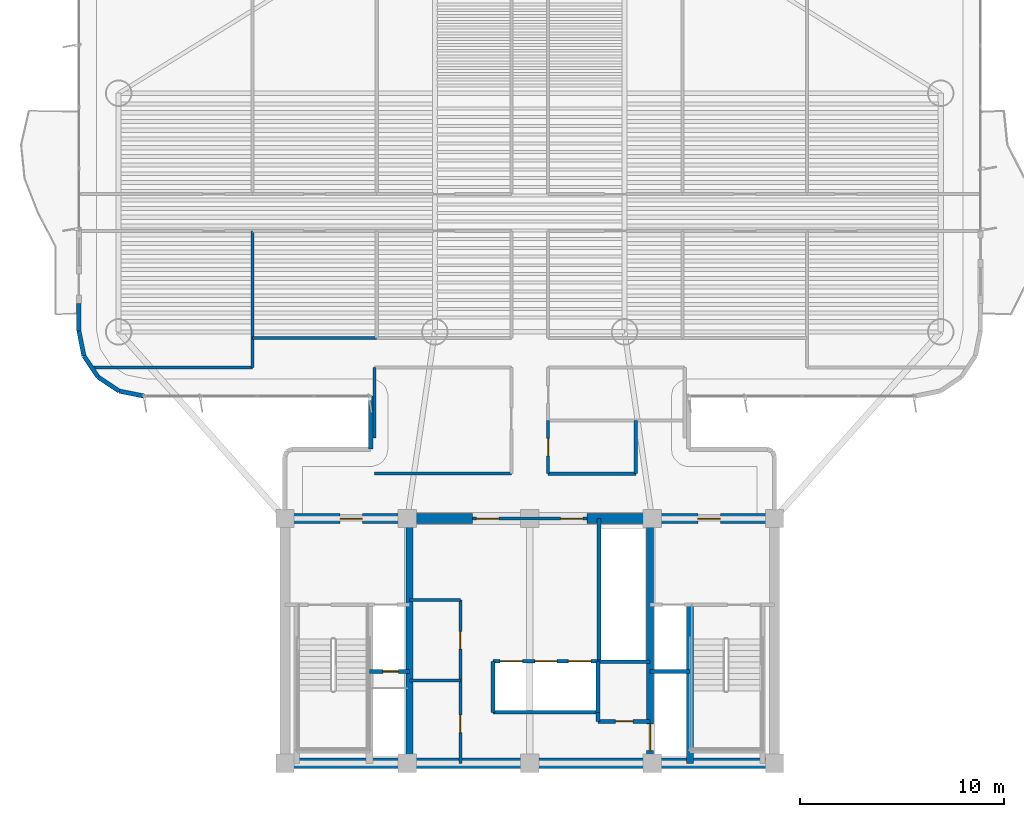
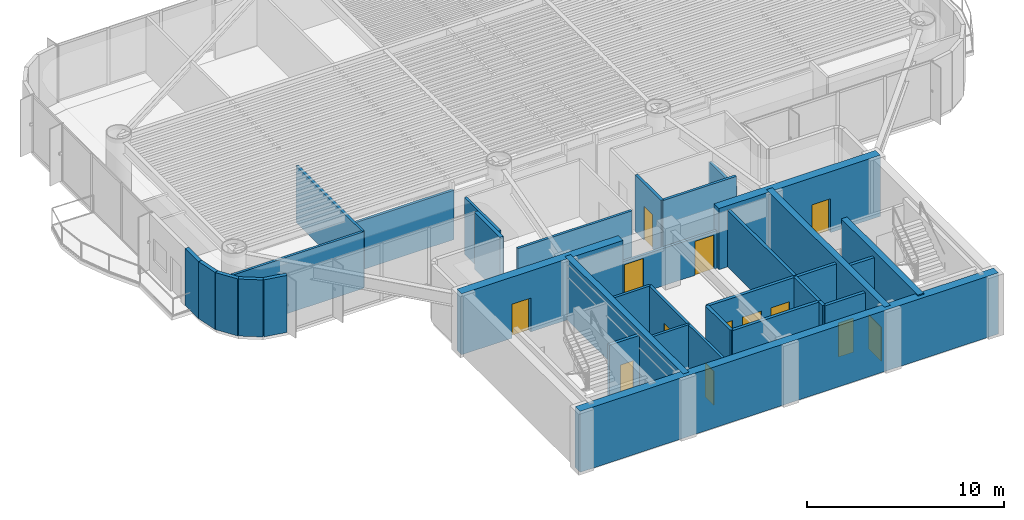
# One storey, part 9 of 16: 34 walls, 13 doors, 13 openings.
"""IFC4 building model written with IfcOpenShell, lengths in metres."""

from ifc_helpers import new_model, si_unit, direction, frame, frame_2d, origin, origin_2d, place, context, subcontext, project, spatial, rectangle, extrude, source, transform, mapped, material, layer, layer_set, type_object, element, fill, save


model = new_model("IFC4")

# Units and contexts
model_context = context("Model", 3, precision=1e-05, world=origin(), true_north=direction((0.0, 1.0)))
body_context = subcontext(model_context, "Body", "Model", "MODEL_VIEW")
ifc_project = project(units=[si_unit("LENGTHUNIT", "METRE"), si_unit("AREAUNIT", "SQUARE_METRE"), si_unit("VOLUMEUNIT", "CUBIC_METRE"), si_unit("PLANEANGLEUNIT", "RADIAN"), si_unit("MASSUNIT", "GRAM", prefix="KILO")], contexts=[model_context])

# Site, building, storey
site_placement = place(None, origin())
site = spatial("IfcSite", under=ifc_project, at=site_placement, CompositionType="ELEMENT")
building_placement = place(site_placement, origin())
building = spatial("IfcBuilding", under=site, at=building_placement, Name="Brelvock Crest Care Tower", CompositionType="ELEMENT")
storey_placement = place(building_placement, frame((0.0, 0.0, 112.5)))
storey = spatial("IfcBuildingStorey", under=building, at=storey_placement, Name="L28", CompositionType="ELEMENT", Elevation=112.5)

# Wall
ifc_material_1 = material(Name="Concrete S80 (80 MPa)", Category="concrete")
ifc_layer_1 = layer(ifc_material_1, 0.5, Name="WL-CS2")
ifc_layer_set_1 = layer_set([ifc_layer_1], Name="Concrete S80 (80 MPa)")
wall_type_1 = type_object("IfcWallType", Name="WL-CS2", PredefinedType="SHEAR", material=ifc_layer_set_1)
wall_1_placement = place(storey_placement, frame((48.25, 6.0, 0.0), z_axis=(0.0, 0.0, 1.0), x_axis=(-1.0, 0.0, 0.0)))
element("IfcWall", 1, at=wall_1_placement, inside=storey, type_object=wall_type_1, Name="L28 Core South Shear Wall", PredefinedType="SHEAR", context=body_context, shape_type="SweptSolid", body=[
    extrude(rectangle(XDim=24.5, YDim=0.5, at=frame_2d((12.25, 0.0))), origin(), (0.0, 0.0, 1.0), 3.780029296875),
])

# Wall, opening, door
wall_2_placement = place(storey_placement, frame((23.75, 18.0, 0.0), z_axis=(0.0, 0.0, 1.0), x_axis=(1.0, 0.0, 0.0)))
wall_2 = element("IfcWall", 2, at=wall_2_placement, inside=storey, type_object=wall_type_1, Name="L28 Core North-West Shear Wall", PredefinedType="SHEAR", context=body_context, shape_type="SweptSolid", body=[
    extrude(rectangle(XDim=9.449951171875, YDim=0.5, at=frame_2d((4.72509765625, 0.0))), origin(), (0.0, 0.0, 1.0), 3.780029296875),
])
opening_1_placement = place(wall_2_placement, frame((2.949951171875, 0.0, 0.0)))
opening_1 = element("IfcOpeningElement", 3, at=opening_1_placement, cuts=wall_2, Name="Opening FD-1", PredefinedType="OPENING", context=body_context, shape_type="SweptSolid", body=[
    extrude(rectangle(XDim=1.10009765625, YDim=2.10009765625, at=origin_2d()), frame((0.550048828125, 0.260009765625, 1.050048828125), z_axis=(0.0, -1.0, 0.0), x_axis=(1.0, 0.0, 0.0)), (0.0, 0.0, 1.0), 0.52001953125),
])
ifc_material_2 = material(Name="Steel Grade 350", Category="steel")
door_type_1 = type_object("IfcDoorType", Name="DR-FFL1", OperationType="NOTDEFINED", PredefinedType="DOOR", material=ifc_material_2)
shared_shape_1 = source(origin(), body_context, "Body", "SweptSolid", [
    extrude(rectangle(XDim=1.10009765625, YDim=2.10009765625, at=origin_2d()), frame((0.550048828125, 0.02490234375, 1.050048828125), z_axis=(0.0, -1.0, 0.0), x_axis=(1.0, 0.0, 0.0)), (0.0, 0.0, 1.0), 0.050048828125),
])
door_1_placement = place(opening_1_placement, origin())
door_1 = element("IfcDoor", 4, at=door_1_placement, inside=storey, type_object=door_type_1, Name="L28 Firefighting Lobby FFL-1 Exit Door", OperationType="SINGLE_SWING_LEFT", OverallHeight=2.10009765625, OverallWidth=1.10009765625, PredefinedType="DOOR", context=body_context, shape_type="MappedRepresentation", body=[
    mapped(shared_shape_1, transform((0.0, 0.0, 0.0), x_axis=(1.0, 0.0, 0.0), y_axis=(0.0, 1.0, 0.0), z_axis=(0.0, 0.0, 1.0), scale=1.0)),
])
fill(opening_1, door_1)

wall_3_placement = place(storey_placement, frame((38.800048828125, 18.0, 0.0), z_axis=(0.0, 0.0, 1.0), x_axis=(1.0, 0.0, 0.0)))
wall_3 = element("IfcWall", 5, at=wall_3_placement, inside=storey, type_object=wall_type_1, Name="L28 Core North-East Shear Wall", PredefinedType="SHEAR", context=body_context, shape_type="SweptSolid", body=[
    extrude(rectangle(XDim=9.449951171875, YDim=0.5, at=frame_2d((4.72509765625, 0.0))), origin(), (0.0, 0.0, 1.0), 3.780029296875),
])
opening_2_placement = place(wall_3_placement, frame((5.449951171875, 0.0, 0.0)))
opening_2 = element("IfcOpeningElement", 6, at=opening_2_placement, cuts=wall_3, Name="Opening FD-1", PredefinedType="OPENING", context=body_context, shape_type="SweptSolid", body=[
    extrude(rectangle(XDim=1.10009765625, YDim=2.10009765625, at=origin_2d()), frame((0.550048828125, 0.260009765625, 1.050048828125), z_axis=(0.0, -1.0, 0.0), x_axis=(1.0, 0.0, 0.0)), (0.0, 0.0, 1.0), 0.52001953125),
])
door_2_placement = place(opening_2_placement, origin())
door_2 = element("IfcDoor", 7, at=door_2_placement, inside=storey, type_object=door_type_1, Name="L28 Firefighting Lobby FFL-2 Exit Door", OperationType="SINGLE_SWING_RIGHT", OverallHeight=2.10009765625, OverallWidth=1.10009765625, PredefinedType="DOOR", context=body_context, shape_type="MappedRepresentation", body=[
    mapped(shared_shape_1, transform((0.0, 0.0, 0.0), x_axis=(1.0, 0.0, 0.0), y_axis=(0.0, 1.0, 0.0), z_axis=(0.0, 0.0, 1.0), scale=1.0)),
])
fill(opening_2, door_2)

# Wall
ifc_layer_2 = layer(ifc_material_1, 0.35009765625, Name="WL-CS5")
ifc_layer_set_2 = layer_set([ifc_layer_2], Name="Concrete S80 (80 MPa)")
wall_type_2 = type_object("IfcWallType", Name="WL-CS5", PredefinedType="SHEAR", material=ifc_layer_set_2)
wall_4_placement = place(storey_placement, frame((30.10009765625, 6.0, 0.0), z_axis=(0.0, 0.0, 1.0), x_axis=(0.0, 1.0, 0.0)))
element("IfcWall", 8, at=wall_4_placement, inside=storey, type_object=wall_type_2, Name="L28 Core Internal Web Wall West", PredefinedType="SHEAR", context=body_context, shape_type="SweptSolid", body=[
    extrude(rectangle(XDim=12.0, YDim=0.35009765625, at=frame_2d((6.0, 0.0))), origin(), (0.0, 0.0, 1.0), 3.780029296875),
])

# Wall, opening, door
wall_5_placement = place(storey_placement, frame((41.89990234375, 18.0, 0.0), z_axis=(0.0, 0.0, 1.0), x_axis=(0.0, -1.0, 0.0)))
wall_5 = element("IfcWall", 9, at=wall_5_placement, inside=storey, type_object=wall_type_2, Name="L28 Core Internal Web Wall East", PredefinedType="SHEAR", context=body_context, shape_type="SweptSolid", body=[
    extrude(rectangle(XDim=12.0, YDim=0.35009765625, at=frame_2d((6.0, 0.0))), origin(), (0.0, 0.0, 1.0), 3.780029296875),
])
opening_3_placement = place(wall_5_placement, frame((10.080078125, 0.0, 0.0)))
opening_3 = element("IfcOpeningElement", 10, at=opening_3_placement, cuts=wall_5, Name="Opening LD-S", PredefinedType="OPENING", context=body_context, shape_type="SweptSolid", body=[
    extrude(rectangle(XDim=1.300048828125, YDim=2.10009765625, at=origin_2d()), frame((0.64990234375, 0.18505859375, 1.050048828125), z_axis=(0.0, -1.0, 0.0), x_axis=(1.0, 0.0, 0.0)), (0.0, 0.0, 1.0), 0.3701171875),
])
door_type_2 = type_object("IfcDoorType", Name="DR-LDS1", OperationType="NOTDEFINED", PredefinedType="DOOR", material=ifc_material_2)
shared_shape_2 = source(origin(), body_context, "Body", "SweptSolid", [
    extrude(rectangle(XDim=1.300048828125, YDim=2.10009765625, at=origin_2d()), frame((0.64990234375, 0.02490234375, 1.050048828125), z_axis=(0.0, -1.0, 0.0), x_axis=(1.0, 0.0, 0.0)), (0.0, 0.0, 1.0), 0.050048828125),
])
door_3_placement = place(opening_3_placement, origin())
door_3 = element("IfcDoor", 11, at=door_3_placement, inside=storey, type_object=door_type_2, Name="L28 Clinical Bed Lift SL-1 Landing Door", OperationType="SLIDING_TO_LEFT", OverallHeight=2.10009765625, OverallWidth=1.300048828125, PredefinedType="DOOR", context=body_context, shape_type="MappedRepresentation", body=[
    mapped(shared_shape_2, transform((0.0, 0.0, 0.0), x_axis=(1.0, 0.0, 0.0), y_axis=(0.0, 1.0, 0.0), z_axis=(0.0, 0.0, 1.0), scale=1.0)),
])
fill(opening_3, door_3)

# Walls
wall_6_placement = place(storey_placement, frame((43.85009765625, 6.0, 0.0), z_axis=(0.0, 0.0, 1.0), x_axis=(0.0, 1.0, 0.0)))
element("IfcWall", 12, at=wall_6_placement, inside=storey, type_object=wall_type_2, Name="L28 Core Stair ST-2 West Shear Wall", PredefinedType="SHEAR", context=body_context, shape_type="SweptSolid", body=[
    extrude(rectangle(XDim=7.780029296875, YDim=0.35009765625, at=frame_2d((3.89013671875, 0.0))), origin(), (0.0, 0.0, 1.0), 3.85009765625),
])
ifc_material_3 = material(Name="Precast concrete N40 (40 MPa)", Category="concrete")
ifc_layer_3 = layer(ifc_material_3, 0.215087890625, Name="WL-EX2")
ifc_layer_set_3 = layer_set([ifc_layer_3], Name="Precast concrete N40 (40 MPa)")
wall_type_3 = type_object("IfcWallType", Name="WL-EX2", PredefinedType="SOLIDWALL", material=ifc_layer_set_3)
wall_7_placement = place(storey_placement, frame((28.199951171875, 21.39990234375, 0.0), z_axis=(0.0, 0.0, 1.0), x_axis=(0.0, 1.0, 0.0)))
element("IfcWall", 13, at=wall_7_placement, inside=storey, type_object=wall_type_3, Name="L28 Rounded Corner Wall 11", PredefinedType="SOLIDWALL", context=body_context, shape_type="SweptSolid", body=[
    extrude(rectangle(XDim=2.60009765625, YDim=0.215087890625, at=frame_2d((1.300048828125, 0.0))), origin(), (0.0, 0.0, 1.0), 3.530029296875),
])
for number, where, z_axis, x_axis, name in (
    (14, (17.10009765625, 24.0, 0.0), (0.0, 0.0, 1.0), (-0.980775717779, 0.195138390419, 0.0), "L28 Rounded Corner Wall 13"),
    (15, (15.87548828125, 24.24365234375, 0.0), (0.0, 0.0, 1.0), (-0.831478245117, 0.555557312883, 0.0), "L28 Rounded Corner Wall 14"),
    (16, (14.83740234375, 24.937255859375, 0.0), (0.0, 0.0, 1.0), (-0.555692485475, 0.831387912822, 0.0), "L28 Rounded Corner Wall 15"),
    (17, (14.1435546875, 25.975341796875, 0.0), (0.0, 0.0, 1.0), (-0.195138390419, 0.980775717779, 0.0), "L28 Rounded Corner Wall 16"),
):
    element("IfcWall", number, at=place(storey_placement, frame(where, z_axis=z_axis, x_axis=x_axis)), inside=storey, type_object=wall_type_3, Name=name, PredefinedType="SOLIDWALL", context=body_context, shape_type="SweptSolid", body=[
        extrude(rectangle(XDim=1.24853515625, YDim=0.215087890625, at=frame_2d((0.624267578125, 0.0))), origin(), (0.0, 0.0, 1.0), 3.530029296875),
    ])
wall_8_placement = place(storey_placement, frame((13.89990234375, 27.199951171875, 0.0), z_axis=(0.0, 0.0, 1.0), x_axis=(0.0, 1.0, 0.0)))
element("IfcWall", 18, at=wall_8_placement, inside=storey, type_object=wall_type_3, Name="L28 Exterior Spandrel Pier E17A", PredefinedType="SOLIDWALL", context=body_context, shape_type="SweptSolid", body=[
    extrude(rectangle(XDim=1.35009765625, YDim=0.215087890625, at=frame_2d((0.675048828125, 0.0))), origin(), (0.0, 0.0, 1.0), 3.530029296875),
])
ifc_material_4 = material(Name="Masonry Blockwork Acoustic Partition", Category="masonry")
ifc_layer_4 = layer(ifc_material_4, 0.14990234375, Name="WL-INT1")
ifc_layer_set_4 = layer_set([ifc_layer_4], Name="Masonry Blockwork Acoustic Partition")
wall_type_4 = type_object("IfcWallType", Name="WL-INT1", PredefinedType="PARTITIONING", material=ifc_layer_set_4)
for number, where, z_axis, x_axis, name in (
    (19, (30.10009765625, 14.0, 0.0), (0.0, 0.0, 1.0), (1.0, 0.0, 0.0), "L28 Interior Wall WL-CRCL-N1-L28"),
    (20, (30.10009765625, 10.050048828125, 0.0), (0.0, 0.0, 1.0), (1.0, 0.0, 0.0), "L28 Interior Wall WL-CSBW-S1-L28"),
):
    element("IfcWall", number, at=place(storey_placement, frame(where, z_axis=z_axis, x_axis=x_axis)), inside=storey, type_object=wall_type_4, Name=name, PredefinedType="PARTITIONING", context=body_context, shape_type="SweptSolid", body=[
        extrude(rectangle(XDim=2.5, YDim=0.14990234375, at=frame_2d((1.25, 0.0))), origin(), (0.0, 0.0, 1.0), 3.5),
    ])

# Wall, openings, doors
wall_9_placement = place(storey_placement, frame((32.60009765625, 6.0, 0.0), z_axis=(0.0, 0.0, 1.0), x_axis=(0.0, 1.0, 0.0)))
wall_9 = element("IfcWall", 21, at=wall_9_placement, inside=storey, type_object=wall_type_4, Name="L28 Interior Wall WL-CRCL-E-L28", PredefinedType="PARTITIONING", context=body_context, shape_type="SweptSolid", body=[
    extrude(rectangle(XDim=8.0, YDim=0.14990234375, at=frame_2d((4.0, 0.0))), origin(), (0.0, 0.0, 1.0), 3.5),
])
opening_4_placement = place(wall_9_placement, frame((1.5, 0.0, 0.0)))
opening_4 = element("IfcOpeningElement", 22, at=opening_4_placement, cuts=wall_9, Name="Opening ID-1", PredefinedType="OPENING", context=body_context, shape_type="SweptSolid", body=[
    extrude(rectangle(XDim=0.860107421875, YDim=2.10009765625, at=origin_2d()), frame((0.43017578125, 0.0849609375, 1.050048828125), z_axis=(0.0, -1.0, 0.0), x_axis=(1.0, 0.0, 0.0)), (0.0, 0.0, 1.0), 0.169921875),
])
opening_5_placement = place(wall_9_placement, frame((5.60009765625, 0.0, 0.0)))
opening_5 = element("IfcOpeningElement", 23, at=opening_5_placement, cuts=wall_9, Name="Opening ID-1", PredefinedType="OPENING", context=body_context, shape_type="SweptSolid", body=[
    extrude(rectangle(XDim=0.860107421875, YDim=2.10009765625, at=origin_2d()), frame((0.43017578125, 0.0849609375, 1.050048828125), z_axis=(0.0, -1.0, 0.0), x_axis=(1.0, 0.0, 0.0)), (0.0, 0.0, 1.0), 0.169921875),
])
ifc_material_5 = material(Name="Engineered Hardwood Timber", Category="wood")
door_type_3 = type_object("IfcDoorType", Name="DR-INT1", OperationType="NOTDEFINED", PredefinedType="DOOR", material=ifc_material_5)
shared_shape_3 = source(origin(), body_context, "Body", "SweptSolid", [
    extrude(rectangle(XDim=0.860107421875, YDim=2.10009765625, at=origin_2d()), frame((0.43017578125, 0.02490234375, 1.050048828125), z_axis=(0.0, -1.0, 0.0), x_axis=(1.0, 0.0, 0.0)), (0.0, 0.0, 1.0), 0.050048828125),
])
door_4_placement = place(opening_4_placement, origin())
door_4 = element("IfcDoor", 24, at=door_4_placement, inside=storey, type_object=door_type_3, Name="DR-CSBW-L28", OperationType="SINGLE_SWING_LEFT", OverallHeight=2.10009765625, OverallWidth=0.860107421875, PredefinedType="DOOR", context=body_context, shape_type="MappedRepresentation", body=[
    mapped(shared_shape_3, transform((0.0, 0.0, 0.0), x_axis=(1.0, 0.0, 0.0), y_axis=(0.0, 1.0, 0.0), z_axis=(0.0, 0.0, 1.0), scale=1.0)),
])
fill(opening_4, door_4)
door_5_placement = place(opening_5_placement, origin())
door_5 = element("IfcDoor", 25, at=door_5_placement, inside=storey, type_object=door_type_3, Name="DR-CRCL1-L28", OperationType="SINGLE_SWING_LEFT", OverallHeight=2.10009765625, OverallWidth=0.860107421875, PredefinedType="DOOR", context=body_context, shape_type="MappedRepresentation", body=[
    mapped(shared_shape_3, transform((0.0, 0.0, 0.0), x_axis=(1.0, 0.0, 0.0), y_axis=(0.0, 1.0, 0.0), z_axis=(0.0, 0.0, 1.0), scale=1.0)),
])
fill(opening_5, door_5)

wall_10_placement = place(storey_placement, frame((33.199951171875, 18.0, 0.0), z_axis=(0.0, 0.0, 1.0), x_axis=(1.0, 0.0, 0.0)))
wall_10 = element("IfcWall", 26, at=wall_10_placement, inside=storey, type_object=wall_type_4, Name="L28 Interior Wall WL-CORE-NPORT-L28", PredefinedType="PARTITIONING", context=body_context, shape_type="SweptSolid", body=[
    extrude(rectangle(XDim=5.60009765625, YDim=0.14990234375, at=frame_2d((2.800048828125, 0.0))), origin(), (0.0, 0.0, 1.0), 2.31494140625),
])
opening_6_placement = place(wall_10_placement, frame((0.18994140625, 0.0, 0.0)))
opening_6 = element("IfcOpeningElement", 27, at=opening_6_placement, cuts=wall_10, Name="Opening FD-1", PredefinedType="OPENING", context=body_context, shape_type="SweptSolid", body=[
    extrude(rectangle(XDim=1.10009765625, YDim=2.10009765625, at=origin_2d()), frame((0.550048828125, 0.0849609375, 1.050048828125), z_axis=(0.0, -1.0, 0.0), x_axis=(1.0, 0.0, 0.0)), (0.0, 0.0, 1.0), 0.169921875),
])
opening_7_placement = place(wall_10_placement, frame((4.31005859375, 0.0, 0.0)))
opening_7 = element("IfcOpeningElement", 28, at=opening_7_placement, cuts=wall_10, Name="Opening FD-1", PredefinedType="OPENING", context=body_context, shape_type="SweptSolid", body=[
    extrude(rectangle(XDim=1.10009765625, YDim=2.10009765625, at=origin_2d()), frame((0.550048828125, 0.0849609375, 1.050048828125), z_axis=(0.0, -1.0, 0.0), x_axis=(1.0, 0.0, 0.0)), (0.0, 0.0, 1.0), 0.169921875),
])
door_6_placement = place(opening_6_placement, origin())
door_6 = element("IfcDoor", 29, at=door_6_placement, inside=storey, type_object=door_type_1, Name="L28 Lift Lobby North Smoke Door West", OperationType="SINGLE_SWING_LEFT", OverallHeight=2.10009765625, OverallWidth=1.10009765625, PredefinedType="DOOR", context=body_context, shape_type="MappedRepresentation", body=[
    mapped(shared_shape_1, transform((0.0, 0.0, 0.0), x_axis=(1.0, 0.0, 0.0), y_axis=(0.0, 1.0, 0.0), z_axis=(0.0, 0.0, 1.0), scale=1.0)),
])
fill(opening_6, door_6)
door_7_placement = place(opening_7_placement, origin())
door_7 = element("IfcDoor", 30, at=door_7_placement, inside=storey, type_object=door_type_1, Name="L28 Lift Lobby North Smoke Door East", OperationType="SINGLE_SWING_RIGHT", OverallHeight=2.10009765625, OverallWidth=1.10009765625, PredefinedType="DOOR", context=body_context, shape_type="MappedRepresentation", body=[
    mapped(shared_shape_1, transform((0.0, 0.0, 0.0), x_axis=(1.0, 0.0, 0.0), y_axis=(0.0, 1.0, 0.0), z_axis=(0.0, 0.0, 1.0), scale=1.0)),
])
fill(opening_7, door_7)

# Walls
wall_11_placement = place(storey_placement, frame((28.39990234375, 20.199951171875, 0.0), z_axis=(0.0, 0.0, 1.0), x_axis=(1.0, 0.0, 0.0)))
element("IfcWall", 31, at=wall_11_placement, inside=storey, type_object=wall_type_4, Name="L28 Interior Wall WL-BX-L28-THW-S", PredefinedType="PARTITIONING", context=body_context, shape_type="SweptSolid", body=[
    extrude(rectangle(XDim=6.7001953125, YDim=0.14990234375, at=frame_2d((3.35009765625, 0.0))), origin(), (0.0, 0.0, 1.0), 3.5),
])
wall_12_placement = place(storey_placement, frame((14.624267578125, 25.39990234375, 0.0), z_axis=(0.0, 0.0, 1.0), x_axis=(1.0, 0.0, 0.0)))
element("IfcWall", 32, at=wall_12_placement, inside=storey, type_object=wall_type_4, Name="L28 Interior Wall WL-BX-L28-SW-S2", PredefinedType="PARTITIONING", context=body_context, shape_type="SweptSolid", body=[
    extrude(rectangle(XDim=7.775634765625, YDim=0.14990234375, at=frame_2d((3.8876953125, 0.0))), origin(), (0.0, 0.0, 1.0), 3.5),
])
wall_13_placement = place(storey_placement, frame((22.39990234375, 26.85009765625, 0.0), z_axis=(0.0, 0.0, 1.0), x_axis=(1.0, 0.0, 0.0)))
element("IfcWall", 33, at=wall_13_placement, inside=storey, type_object=wall_type_4, Name="L28 Interior Wall WL-BX-L28-ISWA-S", PredefinedType="PARTITIONING", context=body_context, shape_type="SweptSolid", body=[
    extrude(rectangle(XDim=6.10009765625, YDim=0.14990234375, at=frame_2d((3.050048828125, 0.0))), origin(), (0.0, 0.0, 1.0), 3.054931640625),
])
wall_14_placement = place(storey_placement, frame((22.39990234375, 25.39990234375, 0.0), z_axis=(0.0, 0.0, 1.0), x_axis=(0.0, 1.0, 0.0)))
element("IfcWall", 34, at=wall_14_placement, inside=storey, type_object=wall_type_4, Name="L28 Interior Wall WL-BX-L28-SW-E", PredefinedType="PARTITIONING", context=body_context, shape_type="SweptSolid", body=[
    extrude(rectangle(XDim=6.7001953125, YDim=0.14990234375, at=frame_2d((3.35009765625, 0.0))), origin(), (0.0, 0.0, 1.0), 3.5),
])
wall_15_placement = place(storey_placement, frame((28.39990234375, 21.957275390625, 0.0), z_axis=(0.0, 0.0, 1.0), x_axis=(0.0, 1.0, 0.0)))
element("IfcWall", 35, at=wall_15_placement, inside=storey, type_object=wall_type_4, Name="L28 Interior Wall WL-BX-L28-THW-W2", PredefinedType="PARTITIONING", context=body_context, shape_type="SweptSolid", body=[
    extrude(rectangle(XDim=3.442626953125, YDim=0.14990234375, at=frame_2d((1.72119140625, 0.0))), origin(), (0.0, 0.0, 1.0), 3.5),
])
ifc_material_6 = material(Name="Gypsum Plasterboard Partition", Category="gypsum")
ifc_layer_5 = layer(ifc_material_6, 0.159912109375, Name="WL-PLM1")
ifc_layer_set_5 = layer_set([ifc_layer_5], Name="Gypsum Plasterboard Partition")
wall_type_5 = type_object("IfcWallType", Name="WL-PLM1", PredefinedType="PLUMBINGWALL", material=ifc_layer_set_5)
wall_16_placement = place(storey_placement, frame((36.89990234375, 20.199951171875, 0.0), z_axis=(0.0, 0.0, 1.0), x_axis=(1.0, 0.0, 0.0)))
element("IfcWall", 36, at=wall_16_placement, inside=storey, type_object=wall_type_5, Name="L28 Interior Wall WL-BX-L28-THE1-S", PredefinedType="PLUMBINGWALL", context=body_context, shape_type="SweptSolid", body=[
    extrude(rectangle(XDim=4.300048828125, YDim=0.159912109375, at=frame_2d((2.14990234375, 0.0))), origin(), (0.0, 0.0, 1.0), 3.5),
])

# Wall, opening, door
wall_17_placement = place(storey_placement, frame((36.89990234375, 20.199951171875, 0.0), z_axis=(0.0, 0.0, 1.0), x_axis=(0.0, 1.0, 0.0)))
wall_17 = element("IfcWall", 37, at=wall_17_placement, inside=storey, type_object=wall_type_5, Name="L28 Interior Wall WL-RM-L28-THE1", PredefinedType="PLUMBINGWALL", context=body_context, shape_type="SweptSolid", body=[
    extrude(rectangle(XDim=2.60009765625, YDim=0.159912109375, at=frame_2d((1.300048828125, 0.0))), origin(), (0.0, 0.0, 1.0), 3.5),
])
opening_8_placement = place(wall_17_placement, frame((0.8701171875, 0.0, 0.0)))
opening_8 = element("IfcOpeningElement", 38, at=opening_8_placement, cuts=wall_17, Name="Opening WD-1", PredefinedType="OPENING", context=body_context, shape_type="SweptSolid", body=[
    extrude(rectangle(XDim=0.860107421875, YDim=2.10009765625, at=origin_2d()), frame((0.43017578125, 0.08984375, 1.050048828125), z_axis=(0.0, -1.0, 0.0), x_axis=(1.0, 0.0, 0.0)), (0.0, 0.0, 1.0), 0.179931640625),
])
door_type_4 = type_object("IfcDoorType", Name="DR-WC1", OperationType="NOTDEFINED", PredefinedType="DOOR", material=ifc_material_5)
shared_shape_4 = source(origin(), body_context, "Body", "SweptSolid", [
    extrude(rectangle(XDim=0.860107421875, YDim=2.10009765625, at=origin_2d()), frame((0.43017578125, 0.02490234375, 1.050048828125), z_axis=(0.0, -1.0, 0.0), x_axis=(1.0, 0.0, 0.0)), (0.0, 0.0, 1.0), 0.050048828125),
])
door_8_placement = place(opening_8_placement, origin())
door_8 = element("IfcDoor", 39, at=door_8_placement, inside=storey, type_object=door_type_4, Name="L28 Floor Accessible WC Door THE1", OperationType="SINGLE_SWING_LEFT", OverallHeight=2.10009765625, OverallWidth=0.860107421875, PredefinedType="DOOR", context=body_context, shape_type="MappedRepresentation", body=[
    mapped(shared_shape_4, transform((0.0, 0.0, 0.0), x_axis=(1.0, 0.0, 0.0), y_axis=(0.0, 1.0, 0.0), z_axis=(0.0, 0.0, 1.0), scale=1.0)),
])
fill(opening_8, door_8)

# Walls
wall_18_placement = place(storey_placement, frame((41.199951171875, 20.199951171875, 0.0), z_axis=(0.0, 0.0, 1.0), x_axis=(0.0, 1.0, 0.0)))
element("IfcWall", 40, at=wall_18_placement, inside=storey, type_object=wall_type_5, Name="L28 Interior Wall WL-BX-L28-THE1-E", PredefinedType="PLUMBINGWALL", context=body_context, shape_type="SweptSolid", body=[
    extrude(rectangle(XDim=2.60009765625, YDim=0.159912109375, at=frame_2d((1.300048828125, 0.0))), origin(), (0.0, 0.0, 1.0), 2.81494140625),
])
ifc_layer_6 = layer(ifc_material_4, 0.179931640625, Name="WL-SHF1")
ifc_layer_set_6 = layer_set([ifc_layer_6], Name="Masonry Blockwork Acoustic Partition")
wall_type_6 = type_object("IfcWallType", Name="WL-SHF1", PredefinedType="PARTITIONING", material=ifc_layer_set_6)
wall_19_placement = place(storey_placement, frame((34.199951171875, 8.5, 0.0), z_axis=(0.0, 0.0, 1.0), x_axis=(1.0, 0.0, 0.0)))
element("IfcWall", 41, at=wall_19_placement, inside=storey, type_object=wall_type_6, Name="L28 Interior Wall WL-PLM-S-L28", PredefinedType="PARTITIONING", context=body_context, shape_type="SweptSolid", body=[
    extrude(rectangle(XDim=5.150146484375, YDim=0.179931640625, at=frame_2d((2.5751953125, 0.0))), origin(), (0.0, 0.0, 1.0), 3.5),
])
for number, where, z_axis, x_axis, name in (
    (42, (34.199951171875, 8.5, 0.0), (0.0, 0.0, 1.0), (0.0, 1.0, 0.0), "L28 Interior Wall WL-PLM-W-L28"),
    (43, (39.35009765625, 8.5, 0.0), (0.0, 0.0, 1.0), (0.0, 1.0, 0.0), "L28 Interior Wall WL-PLM-E-L28"),
):
    element("IfcWall", number, at=place(storey_placement, frame(where, z_axis=z_axis, x_axis=x_axis)), inside=storey, type_object=wall_type_6, Name=name, PredefinedType="PARTITIONING", context=body_context, shape_type="SweptSolid", body=[
        extrude(rectangle(XDim=2.5, YDim=0.179931640625, at=frame_2d((1.25, 0.0))), origin(), (0.0, 0.0, 1.0), 3.5),
    ])
wall_20_placement = place(storey_placement, frame((39.39990234375, 11.0, 0.0), z_axis=(0.0, 0.0, 1.0), x_axis=(0.0, 1.0, 0.0)))
element("IfcWall", 44, at=wall_20_placement, inside=storey, type_object=wall_type_6, Name="L28 Interior Wall WL-PLH-SHF-L28", PredefinedType="PARTITIONING", context=body_context, shape_type="SweptSolid", body=[
    extrude(rectangle(XDim=7.0, YDim=0.179931640625, at=frame_2d((3.5, 0.0))), origin(), (0.0, 0.0, 1.0), 3.5),
])
wall_21_placement = place(storey_placement, frame((39.35009765625, 10.97998046875, 0.0), z_axis=(0.0, 0.0, 1.0), x_axis=(1.0, 0.0, 0.0)))
element("IfcWall", 45, at=wall_21_placement, inside=storey, type_object=wall_type_6, Name="L28 Interior Wall WL-CSBE-N-L28", PredefinedType="PARTITIONING", context=body_context, shape_type="SweptSolid", body=[
    extrude(rectangle(XDim=2.5498046875, YDim=0.179931640625, at=frame_2d((1.27490234375, 0.0))), origin(), (0.0, 0.0, 1.0), 3.5),
])
wall_22_placement = place(storey_placement, frame((39.35009765625, 8.050048828125, 0.0), z_axis=(0.0, 0.0, 1.0), x_axis=(0.0, 1.0, 0.0)))
element("IfcWall", 46, at=wall_22_placement, inside=storey, type_object=wall_type_6, Name="L28 Interior Wall WL-CSBE-W-L28", PredefinedType="PARTITIONING", context=body_context, shape_type="SweptSolid", body=[
    extrude(rectangle(XDim=0.449951171875, YDim=0.179931640625, at=frame_2d((0.22509765625, 0.0))), origin(), (0.0, 0.0, 1.0), 3.5),
])

# Wall, opening, door
wall_23_placement = place(storey_placement, frame((39.35009765625, 8.050048828125, 0.0), z_axis=(0.0, 0.0, 1.0), x_axis=(1.0, 0.0, 0.0)))
wall_23 = element("IfcWall", 47, at=wall_23_placement, inside=storey, type_object=wall_type_6, Name="L28 Interior Wall WL-CSBE-S-L28", PredefinedType="PARTITIONING", context=body_context, shape_type="SweptSolid", body=[
    extrude(rectangle(XDim=2.5498046875, YDim=0.179931640625, at=frame_2d((1.27490234375, 0.0))), origin(), (0.0, 0.0, 1.0), 3.5),
])
opening_9_placement = place(wall_23_placement, frame((0.85009765625, 0.0, 0.0)))
opening_9 = element("IfcOpeningElement", 48, at=opening_9_placement, cuts=wall_23, Name="Opening ID-1", PredefinedType="OPENING", context=body_context, shape_type="SweptSolid", body=[
    extrude(rectangle(XDim=0.860107421875, YDim=2.10009765625, at=origin_2d()), frame((0.43017578125, 0.10009765625, 1.050048828125), z_axis=(0.0, -1.0, 0.0), x_axis=(1.0, 0.0, 0.0)), (0.0, 0.0, 1.0), 0.199951171875),
])
door_9_placement = place(opening_9_placement, origin())
door_9 = element("IfcDoor", 49, at=door_9_placement, inside=storey, type_object=door_type_3, Name="DR-CSBE-L28", OperationType="SINGLE_SWING_LEFT", OverallHeight=2.10009765625, OverallWidth=0.860107421875, PredefinedType="DOOR", context=body_context, shape_type="MappedRepresentation", body=[
    mapped(shared_shape_3, transform((0.0, 0.0, 0.0), x_axis=(1.0, 0.0, 0.0), y_axis=(0.0, 1.0, 0.0), z_axis=(0.0, 0.0, 1.0), scale=1.0)),
])
fill(opening_9, door_9)

wall_24_placement = place(storey_placement, frame((28.14990234375, 10.5, 0.0), z_axis=(0.0, 0.0, 1.0), x_axis=(1.0, 0.0, 0.0)))
wall_24 = element("IfcWall", 50, at=wall_24_placement, inside=storey, type_object=wall_type_6, Name="L28 Interior Wall WL-FFH1-S-L28", PredefinedType="PARTITIONING", context=body_context, shape_type="SweptSolid", body=[
    extrude(rectangle(XDim=1.9501953125, YDim=0.179931640625, at=frame_2d((0.97509765625, 0.0))), origin(), (0.0, 0.0, 1.0), 3.5),
])
opening_10_placement = place(wall_24_placement, frame((0.64990234375, 0.0, 0.0)))
opening_10 = element("IfcOpeningElement", 51, at=opening_10_placement, cuts=wall_24, Name="Opening RD-1", PredefinedType="OPENING", context=body_context, shape_type="SweptSolid", body=[
    extrude(rectangle(XDim=0.760009765625, YDim=2.050048828125, at=origin_2d()), frame((0.3798828125, 0.10009765625, 1.02490234375), z_axis=(0.0, -1.0, 0.0), x_axis=(1.0, 0.0, 0.0)), (0.0, 0.0, 1.0), 0.199951171875),
])
door_type_5 = type_object("IfcDoorType", Name="DR-RIS1", OperationType="NOTDEFINED", PredefinedType="DOOR", material=ifc_material_2)
shared_shape_5 = source(origin(), body_context, "Body", "SweptSolid", [
    extrude(rectangle(XDim=0.760009765625, YDim=2.050048828125, at=origin_2d()), frame((0.3798828125, 0.02490234375, 1.02490234375), z_axis=(0.0, -1.0, 0.0), x_axis=(1.0, 0.0, 0.0)), (0.0, 0.0, 1.0), 0.050048828125),
])
door_10_placement = place(opening_10_placement, origin())
door_10 = element("IfcDoor", 52, at=door_10_placement, inside=storey, type_object=door_type_5, Name="L28 Wet Fire Riser Access Door", OperationType="SINGLE_SWING_LEFT", OverallHeight=2.050048828125, OverallWidth=0.760009765625, PredefinedType="DOOR", context=body_context, shape_type="MappedRepresentation", body=[
    mapped(shared_shape_5, transform((0.0, 0.0, 0.0), x_axis=(1.0, 0.0, 0.0), y_axis=(0.0, 1.0, 0.0), z_axis=(0.0, 0.0, 1.0), scale=1.0)),
])
fill(opening_10, door_10)

# Wall
wall_25_placement = place(storey_placement, frame((41.89990234375, 10.5, 0.0), z_axis=(0.0, 0.0, 1.0), x_axis=(1.0, 0.0, 0.0)))
element("IfcWall", 53, at=wall_25_placement, inside=storey, type_object=wall_type_6, Name="L28 Interior Wall WL-FFH2-S-L28", PredefinedType="PARTITIONING", context=body_context, shape_type="SweptSolid", body=[
    extrude(rectangle(XDim=1.9501953125, YDim=0.179931640625, at=frame_2d((0.97509765625, 0.0))), origin(), (0.0, 0.0, 1.0), 3.5),
])

# Wall, openings, doors
wall_26_placement = place(storey_placement, frame((34.199951171875, 11.0, 0.0), z_axis=(0.0, 0.0, 1.0), x_axis=(1.0, 0.0, 0.0)))
wall_26 = element("IfcWall", 54, at=wall_26_placement, inside=storey, type_object=wall_type_6, Name="L28 Interior Wall WL-PLM-BANK-L28", PredefinedType="PARTITIONING", context=body_context, shape_type="SweptSolid", body=[
    extrude(rectangle(XDim=5.150146484375, YDim=0.179931640625, at=frame_2d((2.5751953125, 0.0))), origin(), (0.0, 0.0, 1.0), 3.5),
])
opening_11_placement = place(wall_26_placement, frame((0.35009765625, 0.0, 0.0)))
opening_11 = element("IfcOpeningElement", 55, at=opening_11_placement, cuts=wall_26, Name="Opening LD", PredefinedType="OPENING", context=body_context, shape_type="SweptSolid", body=[
    extrude(rectangle(XDim=1.10009765625, YDim=2.10009765625, at=origin_2d()), frame((0.550048828125, 0.10009765625, 1.050048828125), z_axis=(0.0, -1.0, 0.0), x_axis=(1.0, 0.0, 0.0)), (0.0, 0.0, 1.0), 0.199951171875),
])
opening_12_placement = place(wall_26_placement, frame((2.050048828125, 0.0, 0.0)))
opening_12 = element("IfcOpeningElement", 56, at=opening_12_placement, cuts=wall_26, Name="Opening LD", PredefinedType="OPENING", context=body_context, shape_type="SweptSolid", body=[
    extrude(rectangle(XDim=1.10009765625, YDim=2.10009765625, at=origin_2d()), frame((0.550048828125, 0.10009765625, 1.050048828125), z_axis=(0.0, -1.0, 0.0), x_axis=(1.0, 0.0, 0.0)), (0.0, 0.0, 1.0), 0.199951171875),
])
opening_13_placement = place(wall_26_placement, frame((3.699951171875, 0.0, 0.0)))
opening_13 = element("IfcOpeningElement", 57, at=opening_13_placement, cuts=wall_26, Name="Opening LD", PredefinedType="OPENING", context=body_context, shape_type="SweptSolid", body=[
    extrude(rectangle(XDim=1.10009765625, YDim=2.10009765625, at=origin_2d()), frame((0.550048828125, 0.10009765625, 1.050048828125), z_axis=(0.0, -1.0, 0.0), x_axis=(1.0, 0.0, 0.0)), (0.0, 0.0, 1.0), 0.199951171875),
])
door_type_6 = type_object("IfcDoorType", Name="DR-LD1", OperationType="NOTDEFINED", PredefinedType="DOOR", material=ifc_material_2)
shared_shape_6 = source(origin(), body_context, "Body", "SweptSolid", [
    extrude(rectangle(XDim=1.10009765625, YDim=2.10009765625, at=origin_2d()), frame((0.550048828125, 0.02490234375, 1.050048828125), z_axis=(0.0, -1.0, 0.0), x_axis=(1.0, 0.0, 0.0)), (0.0, 0.0, 1.0), 0.050048828125),
])
door_11_placement = place(opening_11_placement, origin())
door_11 = element("IfcDoor", 58, at=door_11_placement, inside=storey, type_object=door_type_6, Name="L28 Lift PL-M1 Landing Door", OperationType="SLIDING_TO_LEFT", OverallHeight=2.10009765625, OverallWidth=1.10009765625, PredefinedType="DOOR", context=body_context, shape_type="MappedRepresentation", body=[
    mapped(shared_shape_6, transform((0.0, 0.0, 0.0), x_axis=(1.0, 0.0, 0.0), y_axis=(0.0, 1.0, 0.0), z_axis=(0.0, 0.0, 1.0), scale=1.0)),
])
fill(opening_11, door_11)
door_12_placement = place(opening_12_placement, origin())
door_12 = element("IfcDoor", 59, at=door_12_placement, inside=storey, type_object=door_type_6, Name="L28 Lift PL-M2 Landing Door", OperationType="SLIDING_TO_LEFT", OverallHeight=2.10009765625, OverallWidth=1.10009765625, PredefinedType="DOOR", context=body_context, shape_type="MappedRepresentation", body=[
    mapped(shared_shape_6, transform((0.0, 0.0, 0.0), x_axis=(1.0, 0.0, 0.0), y_axis=(0.0, 1.0, 0.0), z_axis=(0.0, 0.0, 1.0), scale=1.0)),
])
fill(opening_12, door_12)
door_13_placement = place(opening_13_placement, origin())
door_13 = element("IfcDoor", 60, at=door_13_placement, inside=storey, type_object=door_type_6, Name="L28 Lift PL-M3 Landing Door", OperationType="SLIDING_TO_LEFT", OverallHeight=2.10009765625, OverallWidth=1.10009765625, PredefinedType="DOOR", context=body_context, shape_type="MappedRepresentation", body=[
    mapped(shared_shape_6, transform((0.0, 0.0, 0.0), x_axis=(1.0, 0.0, 0.0), y_axis=(0.0, 1.0, 0.0), z_axis=(0.0, 0.0, 1.0), scale=1.0)),
])
fill(opening_13, door_13)

save(model, "model.ifc")
